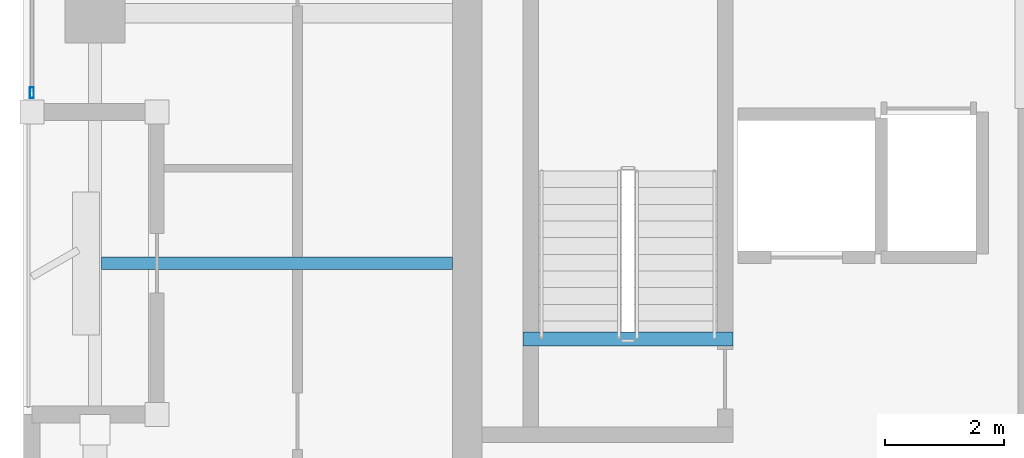
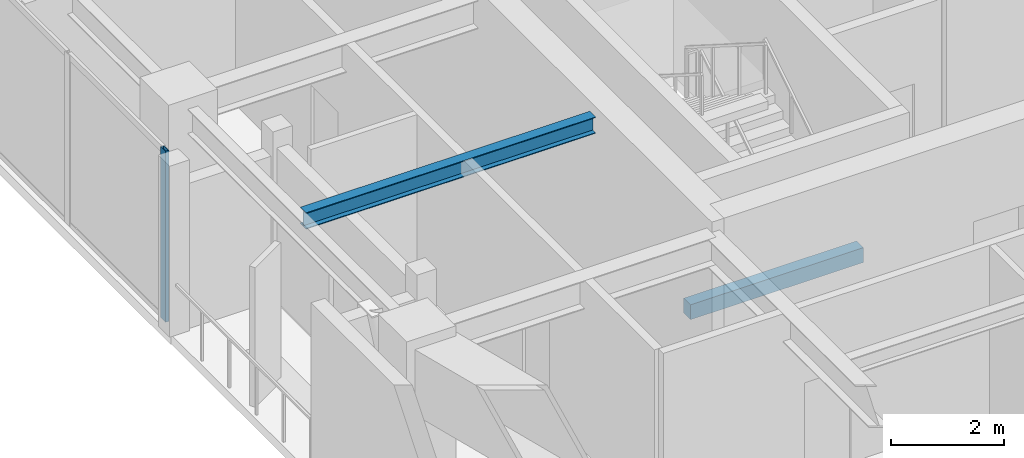
# One storey, part 2 of 15: 2 beams, 1 member, 1 element without a shape of its own.
"""IFC4 building model written with IfcOpenShell, lengths in metres."""

from ifc_helpers import new_model, si_unit, direction, frame, origin, origin_2d, place, context, subcontext, project, spatial, rectangle, hollow_rectangle, i_section, extrude, material, layer, layer_set, material_profile, profile_set, type_object, element, aggregate, save


model = new_model("IFC4")

# Units and contexts
model_context = context("Model", 3, precision=1e-05, world=origin(), true_north=direction((0.0, 1.0)))
body_context = subcontext(model_context, "Body", "Model", "MODEL_VIEW")
ifc_project = project(units=[si_unit("LENGTHUNIT", "METRE"), si_unit("AREAUNIT", "SQUARE_METRE"), si_unit("VOLUMEUNIT", "CUBIC_METRE"), si_unit("PLANEANGLEUNIT", "RADIAN"), si_unit("MASSUNIT", "GRAM", prefix="KILO")], contexts=[model_context])

# Site, building, storey
site_placement = place(None, origin())
site = spatial("IfcSite", under=ifc_project, at=site_placement, CompositionType="ELEMENT")
building_placement = place(site_placement, origin())
building = spatial("IfcBuilding", under=site, at=building_placement, Name="Kiyonajd Concourse Tower", CompositionType="ELEMENT")
storey_placement = place(building_placement, frame((0.0, 0.0, 262.800048828125)))
storey = spatial("IfcBuildingStorey", under=building, at=storey_placement, Name="L66", CompositionType="ELEMENT", Elevation=262.800048828125)

# Beams
ifc_material_1 = material(Name="Steel ASTM A992 Grade 50", Category="steel")
ifc_material_profile_1 = material_profile(ifc_material_1, i_section(OverallWidth=0.205078125, OverallDepth=0.35400390625, WebThickness=0.009521484375, FlangeThickness=0.016845703125, at=origin_2d()), Name="W360X79")
ifc_profile_set_1 = profile_set([ifc_material_profile_1], Name="Steel ASTM A992 Grade 50")
beam_type_1 = type_object("IfcBeamType", Name="BM-JST-360", PredefinedType="JOIST", material=ifc_profile_set_1)
beam_1_placement = place(storey_placement, frame((26.505615234375, 31.800048828125, 3.5029296875), z_axis=(1.0, 0.0, 0.0), x_axis=(0.0, 1.0, 0.0)))
element("IfcBeam", 1, at=beam_1_placement, inside=storey, type_object=beam_type_1, Name="L66 West Secondary Floor Joist", PredefinedType="JOIST", context=body_context, shape_type="SweptSolid", body=[
    extrude(i_section(OverallWidth=0.205078125, OverallDepth=0.35400390625, WebThickness=0.009521484375, FlangeThickness=0.016845703125, at=origin_2d()), origin(), (0.0, 0.0, 1.0), 5.894287109375),
])
ifc_material_2 = material(Name="Concrete C50/60", Category="concrete")
ifc_material_profile_2 = material_profile(ifc_material_2, rectangle(XDim=0.239990234375, YDim=0.320068359375, at=origin_2d()), Name="RCBM-240x320")
ifc_profile_set_2 = profile_set([ifc_material_profile_2], Name="Concrete C50/60")
beam_type_2 = type_object("IfcBeamType", Name="BM-LNT-250", PredefinedType="LINTEL", material=ifc_profile_set_2)
beam_2_placement = place(storey_placement, frame((33.590087890625, 30.530029296875, -0.16015625), z_axis=(1.0, 0.0, 0.0), x_axis=(0.0, 1.0, 0.0)))
element("IfcBeam", 2, at=beam_2_placement, inside=storey, type_object=beam_type_2, Name="L66 Stair ST1 Threshold Support Beam", PredefinedType="LINTEL", context=body_context, shape_type="SweptSolid", body=[
    extrude(rectangle(XDim=0.239990234375, YDim=0.320068359375, at=origin_2d()), origin(), (0.0, 0.0, 1.0), 3.52001953125),
])

# Curtain wall, member
ifc_material_3 = material(Name="Thermally Broken Anodised Aluminium", Category="aluminium")
ifc_layer = layer(ifc_material_3, 0.179931640625)
ifc_layer_set = layer_set([ifc_layer], Name="Thermally Broken Anodised Aluminium")
curtain_wall_type = type_object("IfcCurtainWallType", Name="CW-SYS-04", PredefinedType="NOTDEFINED", material=ifc_layer_set)
curtain_wall_placement = place(storey_placement, origin())
curtain_wall = element("IfcCurtainWall", 3, at=curtain_wall_placement, inside=storey, type_object=curtain_wall_type, Name="L66 Unitised Curtain Wall CW4", PredefinedType="NOTDEFINED")
ifc_material_profile_3 = material_profile(ifc_material_3, hollow_rectangle(XDim=0.06494140625, YDim=0.179931640625, WallThickness=0.00390625, at=origin_2d()), Name="MULL-65x180")
ifc_profile_set_3 = profile_set([ifc_material_profile_3], Name="Thermally Broken Anodised Aluminium")
member_type = type_object("IfcMemberType", Name="MB-CW-MULL1", PredefinedType="MULLION", material=ifc_profile_set_3)
member_placement = place(storey_placement, frame((25.340087890625, 34.66259765625, 0.0), z_axis=(0.0, 0.0, 1.0), x_axis=(-1.0, 0.0, 0.0)))
member = element("IfcMember", 4, at=member_placement, type_object=member_type, Name="CW4 mullion 1", PredefinedType="MULLION", context=body_context, shape_type="SweptSolid", body=[
    extrude(hollow_rectangle(XDim=0.06494140625, YDim=0.179931640625, WallThickness=0.00390625, at=origin_2d()), origin(), (0.0, 0.0, 1.0), 3.679931640625),
])
aggregate(curtain_wall, [member])

save(model, "model.ifc")
